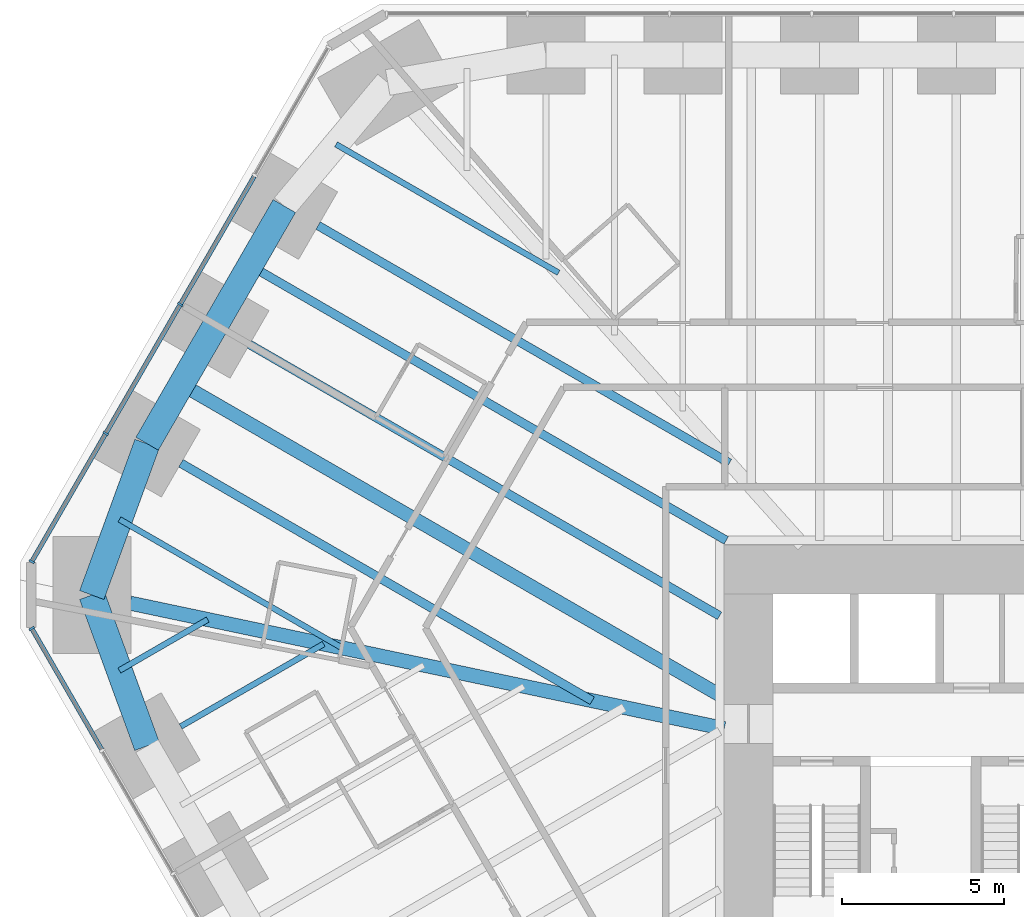
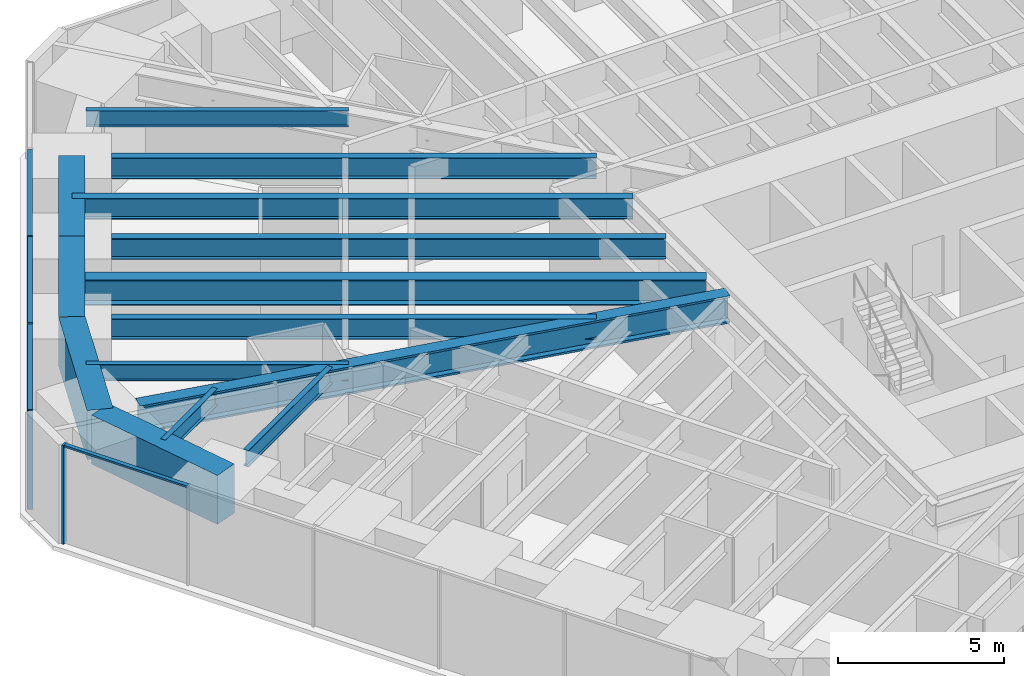
# One storey, part 7 of 17: 14 beams, 8 members, 2 elements without a shape of their own.
"""IFC4 building model written with IfcOpenShell, lengths in metres."""

from ifc_helpers import new_model, si_unit, direction, frame, origin, origin_2d, place, context, subcontext, project, spatial, rectangle, i_section, extrude, material, material_profile, profile_set, type_object, element, aggregate, save


model = new_model("IFC4")

# Units and contexts
model_context = context("Model", 3, precision=1e-05, world=origin(), true_north=direction((0.0, 1.0)))
body_context = subcontext(model_context, "Body", "Model", "MODEL_VIEW")
ifc_project = project(units=[si_unit("LENGTHUNIT", "METRE"), si_unit("AREAUNIT", "SQUARE_METRE"), si_unit("VOLUMEUNIT", "CUBIC_METRE"), si_unit("PLANEANGLEUNIT", "RADIAN"), si_unit("MASSUNIT", "GRAM", prefix="KILO")], contexts=[model_context])

# Site, building, storey
site_placement = place(None, origin())
site = spatial("IfcSite", under=ifc_project, at=site_placement, CompositionType="ELEMENT")
building_placement = place(site_placement, origin())
building = spatial("IfcBuilding", under=site, at=building_placement, Name="Sandreach Pilgrim Tower", CompositionType="ELEMENT")
storey_placement = place(building_placement, frame((0.0, 0.0, 53.39990234375)))
storey = spatial("IfcBuildingStorey", under=building, at=storey_placement, Name="L12", CompositionType="ELEMENT", Elevation=53.39990234375)

# Curtain wall, member
ifc_material_1 = material(Name="Aluminium framed curtain wall", Category="aluminium")
curtain_wall_type = type_object("IfcCurtainWallType", Name="Hostel tower curtain wall", PredefinedType="NOTDEFINED", material=ifc_material_1)
curtain_wall_1_placement = place(storey_placement, origin())
curtain_wall_1 = element("IfcCurtainWall", 1, at=curtain_wall_1_placement, inside=storey, type_object=curtain_wall_type, Name="CW-1 L12 SW", PredefinedType="NOTDEFINED")
ifc_material_2 = material(Name="Aluminium extrusion", Category="aluminium")
ifc_material_profile_1 = material_profile(ifc_material_2, rectangle(XDim=0.06494140625, YDim=0.179931640625, at=origin_2d()), Name="CW-1M 65X180")
ifc_profile_set_1 = profile_set([ifc_material_profile_1], Name="Aluminium extrusion")
member_type_1 = type_object("IfcMemberType", Name="CW-1 mullion", PredefinedType="MULLION", material=ifc_profile_set_1)
member_1_placement = place(storey_placement, frame((-30.56005859375, 5.033935546875, 0.0), z_axis=(0.0, 0.0, 1.0), x_axis=(-0.5, 0.866025403784, 0.0)))
member_1 = element("IfcMember", 2, at=member_1_placement, type_object=member_type_1, Name="CW-1 mullion 10", PredefinedType="MULLION", context=body_context, shape_type="SweptSolid", body=[
    extrude(rectangle(XDim=0.06494140625, YDim=0.179931640625, at=origin_2d()), origin(), (0.0, 0.0, 1.0), 3.64013671875),
])

# Curtain wall, members
curtain_wall_2_placement = place(storey_placement, origin())
curtain_wall_2 = element("IfcCurtainWall", 3, at=curtain_wall_2_placement, inside=storey, type_object=curtain_wall_type, Name="CW-1 L12 NW", PredefinedType="NOTDEFINED")
member_2_placement = place(storey_placement, frame((-30.56005859375, 7.09033203125, 0.0), z_axis=(0.0, 0.0, 1.0), x_axis=(0.5, 0.866025403784, 0.0)))
member_2 = element("IfcMember", 4, at=member_2_placement, type_object=member_type_1, Name="CW-1 mullion 1", PredefinedType="MULLION", context=body_context, shape_type="SweptSolid", body=[
    extrude(rectangle(XDim=0.06494140625, YDim=0.179931640625, at=origin_2d()), origin(), (0.0, 0.0, 1.0), 3.64013671875),
])
member_3_placement = place(storey_placement, frame((-28.283203125, 11.03369140625, 0.0), z_axis=(0.0, 0.0, 1.0), x_axis=(0.5, 0.866025403784, 0.0)))
member_3 = element("IfcMember", 5, at=member_3_placement, type_object=member_type_1, Name="CW-1 mullion 2", PredefinedType="MULLION", context=body_context, shape_type="SweptSolid", body=[
    extrude(rectangle(XDim=0.06494140625, YDim=0.179931640625, at=origin_2d()), origin(), (0.0, 0.0, 1.0), 3.64013671875),
])
member_4_placement = place(storey_placement, frame((-25.990234375, 15.00537109375, 0.0), z_axis=(0.0, 0.0, 1.0), x_axis=(0.5, 0.866025403784, 0.0)))
member_4 = element("IfcMember", 6, at=member_4_placement, type_object=member_type_1, Name="CW-1 mullion 3", PredefinedType="MULLION", context=body_context, shape_type="SweptSolid", body=[
    extrude(rectangle(XDim=0.06494140625, YDim=0.179931640625, at=origin_2d()), origin(), (0.0, 0.0, 1.0), 3.64013671875),
])

# Member
ifc_material_3 = material(Name="Aluminium extrusion", Category="aluminium")
ifc_material_profile_2 = material_profile(ifc_material_3, rectangle(XDim=0.139892578125, YDim=0.070068359375, at=origin_2d()), Name="CW-1T 140X70")
ifc_profile_set_2 = profile_set([ifc_material_profile_2], Name="Aluminium extrusion")
member_type_2 = type_object("IfcMemberType", Name="CW-1 transom", PredefinedType="USERDEFINED", material=ifc_profile_set_2)
member_5_placement = place(storey_placement, frame((-28.40673828125, 1.304443359375, 3.60498046875), z_axis=(-0.499991113271, 0.866030534479, 0.0), x_axis=(-0.866030534479, -0.499991113271, 0.0)))
member_5 = element("IfcMember", 7, at=member_5_placement, type_object=member_type_2, Name="CW-1 head transom 9", ObjectType="TRANSOM", PredefinedType="USERDEFINED", context=body_context, shape_type="SweptSolid", body=[
    extrude(rectangle(XDim=0.139892578125, YDim=0.070068359375, at=origin_2d()), origin(), (0.0, 0.0, 1.0), 4.27392578125),
])

aggregate(curtain_wall_1, [member_1, member_5])

member_6_placement = place(storey_placement, frame((-30.543701171875, 7.118408203125, 3.60498046875), z_axis=(0.499976706761, 0.866038851724, 0.0), x_axis=(-0.866038851724, 0.499976706761, 0.0)))
member_6 = element("IfcMember", 8, at=member_6_placement, type_object=member_type_2, Name="CW-1 head transom 1", ObjectType="TRANSOM", PredefinedType="USERDEFINED", context=body_context, shape_type="SweptSolid", body=[
    extrude(rectangle(XDim=0.139892578125, YDim=0.070068359375, at=origin_2d()), origin(), (0.0, 0.0, 1.0), 4.488525390625),
])

member_7_placement = place(storey_placement, frame((-28.266845703125, 11.06201171875, 3.60498046875), z_axis=(0.500001366228, 0.866024614991, 0.0), x_axis=(-0.866024614991, 0.500001366228, 0.0)))
member_7 = element("IfcMember", 9, at=member_7_placement, type_object=member_type_2, Name="CW-1 head transom 2", ObjectType="TRANSOM", PredefinedType="USERDEFINED", context=body_context, shape_type="SweptSolid", body=[
    extrude(rectangle(XDim=0.139892578125, YDim=0.070068359375, at=origin_2d()), origin(), (0.0, 0.0, 1.0), 4.52099609375),
])

member_8_placement = place(storey_placement, frame((-25.973876953125, 15.03369140625, 3.60498046875), z_axis=(0.500001366228, 0.866024614991, 0.0), x_axis=(-0.866024614991, 0.500001366228, 0.0)))
member_8 = element("IfcMember", 10, at=member_8_placement, type_object=member_type_2, Name="CW-1 head transom 3", ObjectType="TRANSOM", PredefinedType="USERDEFINED", context=body_context, shape_type="SweptSolid", body=[
    extrude(rectangle(XDim=0.139892578125, YDim=0.070068359375, at=origin_2d()), origin(), (0.0, 0.0, 1.0), 4.52099609375),
])

aggregate(curtain_wall_2, [member_2, member_3, member_4, member_6, member_7, member_8])

# Beams
ifc_material_4 = material(Name="Steel ASTM A992 Grade 50", Category="steel")
ifc_material_profile_3 = material_profile(ifc_material_4, i_section(OverallWidth=0.436767578125, OverallDepth=1.010986328125, WebThickness=0.040771484375, FlangeThickness=0.073974609375, at=origin_2d()), Name="W36X529")
ifc_profile_set_3 = profile_set([ifc_material_profile_3], Name="Steel ASTM A992 Grade 50")
beam_type_1 = type_object("IfcBeamType", Name="Corner girder W36X529", PredefinedType="BEAM", material=ifc_profile_set_3)
beam_1_placement = place(storey_placement, frame((-27.53857421875, 5.814208984375, 3.134521484375), z_axis=(0.978429884383, -0.206579189045, 0.0), x_axis=(0.206579189045, 0.978429884383, 0.0)))
element("IfcBeam", 11, at=beam_1_placement, inside=storey, type_object=beam_type_1, Name="BM L12 CG35", PredefinedType="BEAM", context=body_context, shape_type="SweptSolid", body=[
    extrude(i_section(OverallWidth=0.436767578125, OverallDepth=1.010986328125, WebThickness=0.040771484375, FlangeThickness=0.073974609375, at=origin_2d()), origin(), (0.0, 0.0, 1.0), 18.691650390625),
])
ifc_material_5 = material(Name="Steel ASTM A992 Grade 50", Category="steel")
ifc_material_profile_4 = material_profile(ifc_material_5, i_section(OverallWidth=0.1787109375, OverallDepth=0.60205078125, WebThickness=0.010986328125, FlangeThickness=0.014892578125, at=origin_2d()), Name="W24X62")
ifc_profile_set_4 = profile_set([ifc_material_profile_4], Name="Steel ASTM A992 Grade 50")
beam_type_2 = type_object("IfcBeamType", Name="Floor beam W24X62", PredefinedType="BEAM", material=ifc_profile_set_4)
beam_2_placement = place(storey_placement, frame((-25.97705078125, 2.016357421875, 3.339111328125), z_axis=(0.866027897259, 0.49999568115, 0.0), x_axis=(-0.49999568115, 0.866027897259, 0.0)))
element("IfcBeam", 12, at=beam_2_placement, inside=storey, type_object=beam_type_2, Name="BM L12 F34", PredefinedType="BEAM", context=body_context, shape_type="SweptSolid", body=[
    extrude(i_section(OverallWidth=0.1787109375, OverallDepth=0.60205078125, WebThickness=0.010986328125, FlangeThickness=0.014892578125, at=origin_2d()), origin(), (0.0, 0.0, 1.0), 5.0791015625),
])
beam_3_placement = place(storey_placement, frame((-27.864501953125, 3.7392578125, 3.339111328125), z_axis=(0.866023718453, 0.500002919068, 0.0), x_axis=(-0.500002919068, 0.866023718453, 0.0)))
element("IfcBeam", 13, at=beam_3_placement, inside=storey, type_object=beam_type_2, Name="BM L12 FM34", PredefinedType="BEAM", context=body_context, shape_type="SweptSolid", body=[
    extrude(i_section(OverallWidth=0.1787109375, OverallDepth=0.60205078125, WebThickness=0.010986328125, FlangeThickness=0.014892578125, at=origin_2d()), origin(), (0.0, 0.0, 1.0), 3.1396484375),
])
for number, where, z_axis, x_axis, name in (
    (14, (-27.861328125, 8.390380859375, 3.339111328125), (0.866028778003, -0.499994155636, 0.0), (0.499994155636, 0.866028778003, 0.0), "BM L12 FM35"),
    (15, (-21.197021484375, 19.933349609375, 3.339111328125), (0.866028778003, -0.499994155636, 0.0), (0.499994155636, 0.866028778003, 0.0), "BM L12 FM38"),
):
    element("IfcBeam", number, at=place(storey_placement, frame(where, z_axis=z_axis, x_axis=x_axis)), inside=storey, type_object=beam_type_2, Name=name, PredefinedType="BEAM", context=body_context, shape_type="SweptSolid", body=[
        extrude(i_section(OverallWidth=0.1787109375, OverallDepth=0.60205078125, WebThickness=0.010986328125, FlangeThickness=0.014892578125, at=origin_2d()), origin(), (0.0, 0.0, 1.0), 7.90771484375),
    ])
ifc_material_6 = material(Name="Steel ASTM A992 Grade 50", Category="steel")
ifc_material_profile_5 = material_profile(ifc_material_6, i_section(OverallWidth=0.2666015625, OverallDepth=0.761962890625, WebThickness=0.014404296875, FlangeThickness=0.021484375, at=origin_2d()), Name="W30X116")
ifc_profile_set_5 = profile_set([ifc_material_profile_5], Name="Steel ASTM A992 Grade 50")
beam_type_3 = type_object("IfcBeamType", Name="Floor beam W30X116", PredefinedType="BEAM", material=ifc_profile_set_5)
for number, where, z_axis, x_axis, name in (
    (16, (-25.970947265625, 10.118896484375, 3.259033203125), (0.866020355572, -0.500008743658, 0.0), (0.500008743658, 0.866020355572, 0.0), "BM L12 F36"),
    (17, (-21.74853515625, 17.43212890625, 3.259033203125), (0.866020355572, -0.500008743658, 0.0), (0.500008743658, 0.866020355572, 0.0), "BM L12 F38"),
):
    element("IfcBeam", number, at=place(storey_placement, frame(where, z_axis=z_axis, x_axis=x_axis)), inside=storey, type_object=beam_type_3, Name=name, PredefinedType="BEAM", context=body_context, shape_type="SweptSolid", body=[
        extrude(i_section(OverallWidth=0.2666015625, OverallDepth=0.761962890625, WebThickness=0.014404296875, FlangeThickness=0.021484375, at=origin_2d()), origin(), (0.0, 0.0, 1.0), 14.615966796875),
    ])
ifc_material_7 = material(Name="Steel ASTM A992 Grade 50", Category="steel")
ifc_material_profile_6 = material_profile(ifc_material_7, i_section(OverallWidth=0.2666015625, OverallDepth=0.77978515625, WebThickness=0.0166015625, FlangeThickness=0.030029296875, at=origin_2d()), Name="W30X148")
ifc_profile_set_6 = profile_set([ifc_material_profile_6], Name="Steel ASTM A992 Grade 50")
beam_type_4 = type_object("IfcBeamType", Name="Floor beam W30X148", PredefinedType="BEAM", material=ifc_profile_set_6)
beam_4_placement = place(storey_placement, frame((-23.85986328125, 13.775390625, 3.250244140625), z_axis=(0.866031037473, -0.499990242038, 0.0), x_axis=(0.499990242038, 0.866031037473, 0.0)))
element("IfcBeam", 18, at=beam_4_placement, inside=storey, type_object=beam_type_4, Name="BM L12 F37", PredefinedType="BEAM", context=body_context, shape_type="SweptSolid", body=[
    extrude(i_section(OverallWidth=0.2666015625, OverallDepth=0.77978515625, WebThickness=0.0166015625, FlangeThickness=0.030029296875, at=origin_2d()), origin(), (0.0, 0.0, 1.0), 16.704345703125),
])
beam_5_placement = place(storey_placement, frame((-23.843505859375, 16.203857421875, 3.250244140625), z_axis=(0.866027248123, -0.499996805499, 0.0), x_axis=(0.499996805499, 0.866027248123, 0.0)))
element("IfcBeam", 19, at=beam_5_placement, inside=storey, type_object=beam_type_4, Name="BM L12 FM37", PredefinedType="BEAM", context=body_context, shape_type="SweptSolid", body=[
    extrude(i_section(OverallWidth=0.2666015625, OverallDepth=0.77978515625, WebThickness=0.0166015625, FlangeThickness=0.030029296875, at=origin_2d()), origin(), (0.0, 0.0, 1.0), 16.9208984375),
])
ifc_material_8 = material(Name="Steel ASTM A992 Grade 50", Category="steel")
ifc_material_profile_7 = material_profile(ifc_material_8, i_section(OverallWidth=0.419189453125, OverallDepth=0.927001953125, WebThickness=0.019287109375, FlangeThickness=0.031982421875, at=origin_2d()), Name="W36X231")
ifc_profile_set_7 = profile_set([ifc_material_profile_7], Name="Steel ASTM A992 Grade 50")
beam_type_5 = type_object("IfcBeamType", Name="Floor beam W36X231", PredefinedType="BEAM", material=ifc_profile_set_7)
beam_6_placement = place(storey_placement, frame((-25.95458984375, 12.547119140625, 3.176513671875), z_axis=(0.866028474707, -0.499994680968, 0.0), x_axis=(0.499994680968, 0.866028474707, 0.0)))
element("IfcBeam", 20, at=beam_6_placement, inside=storey, type_object=beam_type_5, Name="BM L12 FM36", PredefinedType="BEAM", context=body_context, shape_type="SweptSolid", body=[
    extrude(i_section(OverallWidth=0.419189453125, OverallDepth=0.927001953125, WebThickness=0.019287109375, FlangeThickness=0.031982421875, at=origin_2d()), origin(), (0.0, 0.0, 1.0), 19.123291015625),
])
ifc_material_9 = material(Name="Concrete 10000 psi", Category="concrete")
ifc_material_profile_8 = material_profile(ifc_material_9, rectangle(XDim=0.800048828125, YDim=1.800048828125, at=origin_2d()), Name="RC800X1800")
ifc_profile_set_8 = profile_set([ifc_material_profile_8], Name="Concrete 10000 psi")
beam_type_6 = type_object("IfcBeamType", Name="Spandrel beam RC800X1800", PredefinedType="SPANDREL", material=ifc_profile_set_8)
beam_7_placement = place(storey_placement, frame((-27.016357421875, 1.416259765625, 2.739990234375), z_axis=(-0.342963480301, 0.939348737786, 0.0), x_axis=(-0.939348737786, -0.342963480301, 0.0)))
element("IfcBeam", 21, at=beam_7_placement, inside=storey, type_object=beam_type_6, Name="BM L12 SP34", PredefinedType="SPANDREL", context=body_context, shape_type="SweptSolid", body=[
    extrude(rectangle(XDim=0.800048828125, YDim=1.800048828125, at=origin_2d()), origin(), (0.0, 0.0, 1.0), 4.946044921875),
])
beam_8_placement = place(storey_placement, frame((-28.712646484375, 6.062255859375, 2.739990234375), z_axis=(0.343367552823, 0.939201109278, 0.0), x_axis=(-0.939201109278, 0.343367552823, 0.0)))
element("IfcBeam", 22, at=beam_8_placement, inside=storey, type_object=beam_type_6, Name="BM L12 SP35", PredefinedType="SPANDREL", context=body_context, shape_type="SweptSolid", body=[
    extrude(rectangle(XDim=0.800048828125, YDim=1.800048828125, at=origin_2d()), origin(), (0.0, 0.0, 1.0), 4.9580078125),
])
beam_9_placement = place(storey_placement, frame((-27.01025390625, 10.71875, 2.739990234375), z_axis=(0.500019412692, 0.866014195571, 0.0), x_axis=(-0.866014195571, 0.500019412692, 0.0)))
element("IfcBeam", 23, at=beam_9_placement, inside=storey, type_object=beam_type_6, Name="BM L12 SP36", PredefinedType="SPANDREL", context=body_context, shape_type="SweptSolid", body=[
    extrude(rectangle(XDim=0.800048828125, YDim=1.800048828125, at=origin_2d()), origin(), (0.0, 0.0, 1.0), 4.222412109375),
])
beam_10_placement = place(storey_placement, frame((-24.89892578125, 14.37548828125, 2.739990234375), z_axis=(0.500001084989, 0.866024777365, 0.0), x_axis=(-0.866024777365, 0.500001084989, 0.0)))
element("IfcBeam", 24, at=beam_10_placement, inside=storey, type_object=beam_type_6, Name="BM L12 SP37", PredefinedType="SPANDREL", context=body_context, shape_type="SweptSolid", body=[
    extrude(rectangle(XDim=0.800048828125, YDim=1.800048828125, at=origin_2d()), origin(), (0.0, 0.0, 1.0), 4.22216796875),
])

save(model, "model.ifc")
